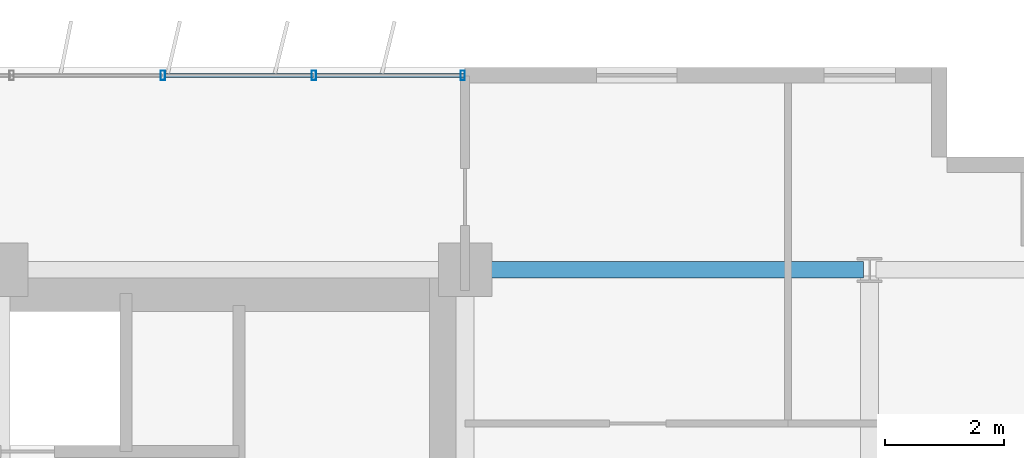
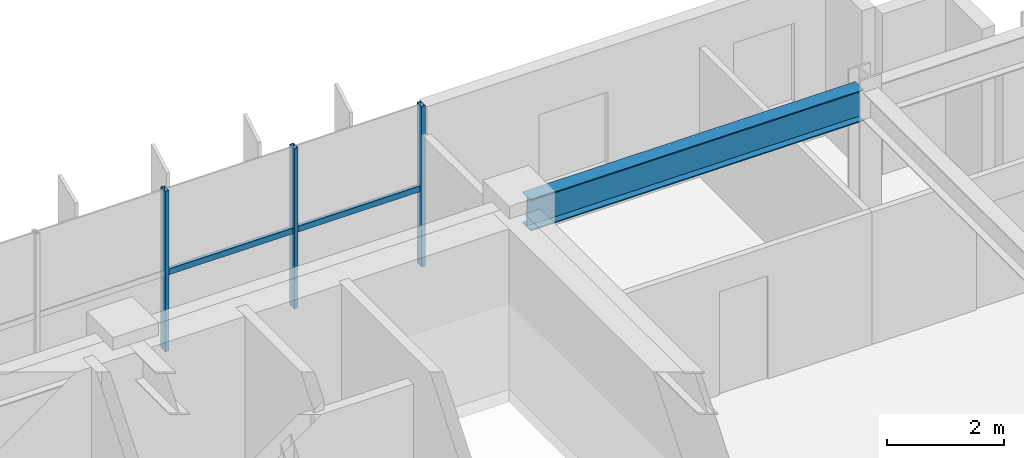
# One storey, part 12 of 22: 5 members, 1 beam, 1 element without a shape of its own.
"""IFC4 building model written with IfcOpenShell, lengths in metres."""

from ifc_helpers import new_model, si_unit, direction, frame, origin, origin_2d, place, context, subcontext, project, spatial, hollow_rectangle, i_section, extrude, source, transform, mapped, material, material_profile, profile_set, type_object, element, aggregate, save


model = new_model("IFC4")

# Units and contexts
model_context = context("Model", 3, precision=1e-05, world=origin(), true_north=direction((0.0, 1.0)))
body_context = subcontext(model_context, "Body", "Model", "MODEL_VIEW")
ifc_project = project(units=[si_unit("LENGTHUNIT", "METRE"), si_unit("AREAUNIT", "SQUARE_METRE"), si_unit("VOLUMEUNIT", "CUBIC_METRE"), si_unit("PLANEANGLEUNIT", "RADIAN"), si_unit("MASSUNIT", "GRAM", prefix="KILO")], contexts=[model_context])

# Site, building, storey
site_placement = place(None, origin())
site = spatial("IfcSite", under=ifc_project, at=site_placement, CompositionType="ELEMENT")
building_placement = place(site_placement, origin())
building = spatial("IfcBuilding", under=site, at=building_placement, Name="Trelvane Seafront Commons", CompositionType="ELEMENT")
storey_placement = place(building_placement, frame((0.0, 0.0, 52.300048828125)))
storey = spatial("IfcBuildingStorey", under=building, at=storey_placement, Name="L13", CompositionType="ELEMENT", Elevation=52.300048828125)

# Beam
ifc_material_1 = material(Name="Steel SM355 (S355)", Category="steel")
ifc_material_profile_1 = material_profile(ifc_material_1, i_section(OverallWidth=0.280029296875, OverallDepth=0.64990234375, WebThickness=0.012939453125, FlangeThickness=0.02197265625, at=origin_2d()), Name="H-650x280x13x22")
ifc_profile_set_1 = profile_set([ifc_material_profile_1], Name="Steel SM355 (S355)")
beam_type = type_object("IfcBeamType", Name="STR-BM-H650", PredefinedType="BEAM", material=ifc_profile_set_1)
shared_shape_1 = source(origin(), body_context, "Body", "SweptSolid", [
    extrude(i_section(OverallWidth=0.280029296875, OverallDepth=0.64990234375, WebThickness=0.012939453125, FlangeThickness=0.02197265625, at=origin_2d()), origin(), (0.0, 0.0, 1.0), 6.545166015625),
])
beam_placement = place(storey_placement, frame((58.949951171875, 45.10009765625, 3.014892578125), z_axis=(1.0, 0.0, 0.0), x_axis=(0.0, 1.0, 0.0)))
element("IfcBeam", 1, at=beam_placement, inside=storey, type_object=beam_type, Name="L13 Primary Girder G-35", PredefinedType="BEAM", context=body_context, shape_type="MappedRepresentation", body=[
    mapped(shared_shape_1, transform((0.0, 0.0, 0.0), x_axis=(1.0, 0.0, 0.0), y_axis=(0.0, 1.0, 0.0), z_axis=(0.0, 0.0, 1.0), scale=1.0)),
])

# Curtain wall, members
ifc_material_2 = material(Name="Anodised pale-silver aluminium", Category="aluminium")
curtain_wall_type = type_object("IfcCurtainWallType", Name="ARCH-CW2-LOWTOWER", PredefinedType="NOTDEFINED", material=ifc_material_2)
curtain_wall_placement = place(storey_placement, origin())
curtain_wall = element("IfcCurtainWall", 2, at=curtain_wall_placement, inside=storey, type_object=curtain_wall_type, Name="CW-L13-0037", PredefinedType="NOTDEFINED")
ifc_material_profile_2 = material_profile(ifc_material_2, hollow_rectangle(XDim=0.070068359375, YDim=0.1201171875, WallThickness=0.00390625, at=origin_2d()), Name="TRAN-70x120x4")
ifc_profile_set_2 = profile_set([ifc_material_profile_2], Name="Anodised pale-silver aluminium")
member_type_1 = type_object("IfcMemberType", Name="ARCH-CW-TRAN-120", PredefinedType="USERDEFINED", material=ifc_profile_set_2)
shared_shape_2 = source(origin(), body_context, "Body", "SweptSolid", [
    extrude(hollow_rectangle(XDim=0.070068359375, YDim=0.1201171875, WallThickness=0.00390625, at=origin_2d()), origin(), (0.0, 0.0, 1.0), 2.517333984375),
])
member_1_placement = place(storey_placement, frame((53.7294921875, 48.3701171875, 1.60302734375), z_axis=(1.0, 0.0, 0.0), x_axis=(0.0, 1.0, 0.0)))
member_1 = element("IfcMember", 3, at=member_1_placement, type_object=member_type_1, Name="CW-L13-0037-T15", ObjectType="TRANSOM", PredefinedType="USERDEFINED", context=body_context, shape_type="MappedRepresentation", body=[
    mapped(shared_shape_2, transform((0.0, 0.0, 0.0), x_axis=(1.0, 0.0, 0.0), y_axis=(0.0, 1.0, 0.0), z_axis=(0.0, 0.0, 1.0), scale=1.0)),
])
member_2_placement = place(storey_placement, frame((56.270751953125, 48.3701171875, 1.60302734375), z_axis=(1.0, 0.0, 0.0), x_axis=(0.0, 1.0, 0.0)))
member_2 = element("IfcMember", 4, at=member_2_placement, type_object=member_type_1, Name="CW-L13-0037-T16", ObjectType="TRANSOM", PredefinedType="USERDEFINED", context=body_context, shape_type="MappedRepresentation", body=[
    mapped(shared_shape_2, transform((0.0, 0.0, 0.0), x_axis=(1.0, 0.0, 0.0), y_axis=(0.0, 1.0, 0.0), z_axis=(0.0, 0.0, 1.0), scale=1.0)),
])
ifc_material_profile_3 = material_profile(ifc_material_2, hollow_rectangle(XDim=0.074951171875, YDim=0.159912109375, WallThickness=0.00390625, at=origin_2d()), Name="MULL-75x160x4")
ifc_profile_set_3 = profile_set([ifc_material_profile_3], Name="Anodised pale-silver aluminium")
member_type_2 = type_object("IfcMemberType", Name="ARCH-CW-MULL-160", PredefinedType="MULLION", material=ifc_profile_set_3)
shared_shape_3 = source(origin(), body_context, "Body", "SweptSolid", [
    extrude(hollow_rectangle(XDim=0.074951171875, YDim=0.159912109375, WallThickness=0.00390625, at=origin_2d()), origin(), (0.0, 0.0, 1.0), 3.33984375),
])
member_3_placement = place(storey_placement, frame((53.717529296875, 48.3701171875, 0.0), z_axis=(0.0, 0.0, 1.0), x_axis=(1.0, 0.0, 0.0)))
member_3 = element("IfcMember", 5, at=member_3_placement, type_object=member_type_2, Name="CW-L13-0037-M15", PredefinedType="MULLION", context=body_context, shape_type="MappedRepresentation", body=[
    mapped(shared_shape_3, transform((0.0, 0.0, 0.0), x_axis=(1.0, 0.0, 0.0), y_axis=(0.0, 1.0, 0.0), z_axis=(0.0, 0.0, 1.0), scale=1.0)),
])
member_4_placement = place(storey_placement, frame((56.2587890625, 48.3701171875, 0.0), z_axis=(0.0, 0.0, 1.0), x_axis=(1.0, 0.0, 0.0)))
member_4 = element("IfcMember", 6, at=member_4_placement, type_object=member_type_2, Name="CW-L13-0037-M16", PredefinedType="MULLION", context=body_context, shape_type="MappedRepresentation", body=[
    mapped(shared_shape_3, transform((0.0, 0.0, 0.0), x_axis=(1.0, 0.0, 0.0), y_axis=(0.0, 1.0, 0.0), z_axis=(0.0, 0.0, 1.0), scale=1.0)),
])
member_5_placement = place(storey_placement, frame((58.760009765625, 48.3701171875, 0.0), z_axis=(0.0, 0.0, 1.0), x_axis=(1.0, 0.0, 0.0)))
member_5 = element("IfcMember", 7, at=member_5_placement, type_object=member_type_2, Name="CW-L13-0037-M17", PredefinedType="MULLION", context=body_context, shape_type="MappedRepresentation", body=[
    mapped(shared_shape_3, transform((0.0, 0.0, 0.0), x_axis=(1.0, 0.0, 0.0), y_axis=(0.0, 1.0, 0.0), z_axis=(0.0, 0.0, 1.0), scale=1.0)),
])
aggregate(curtain_wall, [member_3, member_4, member_5, member_1, member_2])

save(model, "model.ifc")
